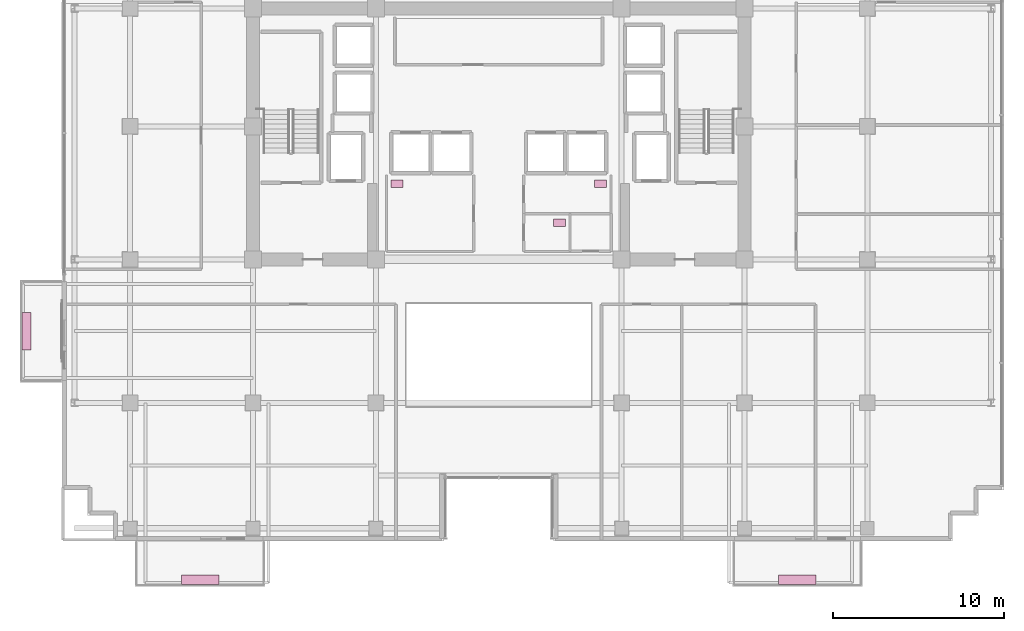
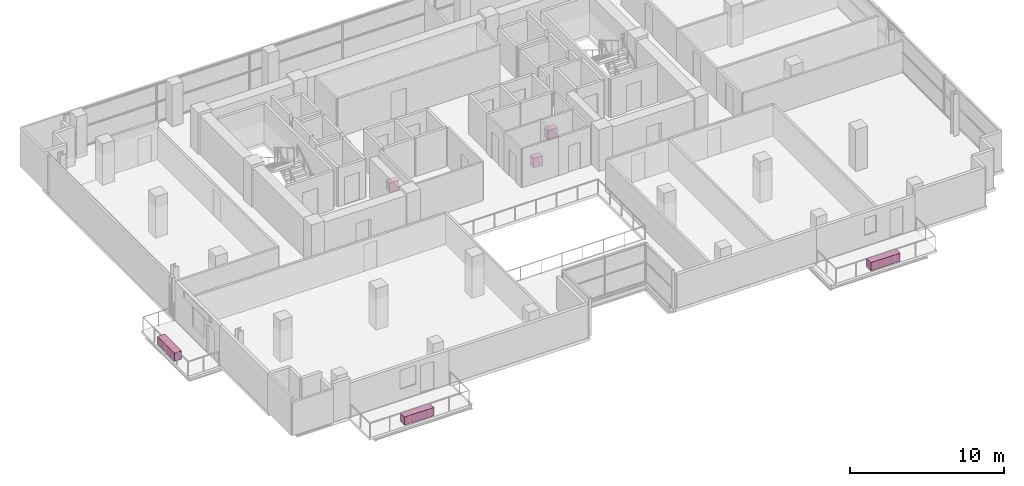
# One storey, part 23 of 23: 6 furnishings.
"""IFC4 building model written with IfcOpenShell, lengths in metres."""

from ifc_helpers import new_model, si_unit, direction, frame, origin, origin_2d, place, context, subcontext, project, spatial, rectangle, extrude, source, transform, mapped, material, type_object, element, save


model = new_model("IFC4")

# Units and contexts
model_context = context("Model", 3, precision=1e-05, world=origin(), true_north=direction((0.0, 1.0)))
body_context = subcontext(model_context, "Body", "Model", "MODEL_VIEW")
ifc_project = project(units=[si_unit("LENGTHUNIT", "METRE"), si_unit("AREAUNIT", "SQUARE_METRE"), si_unit("VOLUMEUNIT", "CUBIC_METRE"), si_unit("PLANEANGLEUNIT", "RADIAN"), si_unit("MASSUNIT", "GRAM", prefix="KILO")], contexts=[model_context])

# Site, building, storey
site_placement = place(None, origin())
site = spatial("IfcSite", under=ifc_project, at=site_placement, CompositionType="ELEMENT")
building_placement = place(site_placement, origin())
building = spatial("IfcBuilding", under=site, at=building_placement, Name="Zarnakvel Exchange Tower", CompositionType="ELEMENT")
storey_placement = place(building_placement, frame((0.0, 0.0, 129.699951171875)))
storey = spatial("IfcBuildingStorey", under=building, at=storey_placement, Name="L36", CompositionType="ELEMENT", Elevation=129.699951171875)

# Furnishings
ifc_material_1 = material(Name="Architectural Bronze Anodised Aluminium", Category="aluminium")
furnishing_element_type_1 = type_object("IfcFurnishingElementType", Name="PLNT-01", material=ifc_material_1)
shared_shape_1 = source(origin(), body_context, "Body", "SweptSolid", [
    extrude(rectangle(XDim=2.199951171875, YDim=0.550048828125, at=origin_2d()), origin(), (0.0, 0.0, 1.0), 0.64990234375),
])
for number, where, z_axis, x_axis, name in (
    (1, (-17.5, -19.969970703125, -0.034912109375), (0.0, 0.0, 1.0), (1.0, 0.0, 0.0), "L36 Balcony Greenery Planter BAL-L36-SW"),
    (2, (17.5, -19.969970703125, -0.034912109375), (0.0, 0.0, 1.0), (1.0, 0.0, 0.0), "L36 Balcony Greenery Planter BAL-L36-SE"),
    (3, (-27.669921875, -5.39990234375, -0.034912109375), (0.0, 0.0, 1.0), (0.0, 1.0, 0.0), "L36 Balcony Greenery Planter BAL-L36-W"),
):
    element("IfcFurnishingElement", number, at=place(storey_placement, frame(where, z_axis=z_axis, x_axis=x_axis)), inside=storey, type_object=furnishing_element_type_1, Name=name, ObjectType="PLANTER", context=body_context, shape_type="MappedRepresentation", body=[
        mapped(shared_shape_1, transform((0.0, 0.0, 0.0), x_axis=(1.0, 0.0, 0.0), y_axis=(0.0, 1.0, 0.0), z_axis=(0.0, 0.0, 1.0), scale=1.0)),
    ])
ifc_material_2 = material(Name="Vitreous China Sanitaryware", Category="ceramic")
furnishing_element_type_2 = type_object("IfcFurnishingElementType", Name="SAN-WC", material=ifc_material_2)
shared_shape_2 = source(origin(), body_context, "Body", "SweptSolid", [
    extrude(rectangle(XDim=0.699951171875, YDim=0.449951171875, at=origin_2d()), origin(), (0.0, 0.0, 1.0), 0.780029296875),
])
for number, where, z_axis, x_axis, name in (
    (4, (-5.949951171875, 3.22998046875, 0.0), (0.0, 0.0, 1.0), (1.0, 0.0, 0.0), "L36 Sanitary Fixture (Male Toilet)"),
    (5, (5.949951171875, 3.22998046875, 0.0), (0.0, 0.0, 1.0), (1.0, 0.0, 0.0), "L36 Sanitary Fixture (Female Toilet)"),
    (6, (3.550048828125, 0.949951171875, 0.0), (0.0, 0.0, 1.0), (1.0, 0.0, 0.0), "L36 Sanitary Fixture (Accessible Toilet)"),
):
    element("IfcFurnishingElement", number, at=place(storey_placement, frame(where, z_axis=z_axis, x_axis=x_axis)), inside=storey, type_object=furnishing_element_type_2, Name=name, ObjectType="SANITARY_FIXTURE", context=body_context, shape_type="MappedRepresentation", body=[
        mapped(shared_shape_2, transform((0.0, 0.0, 0.0), x_axis=(1.0, 0.0, 0.0), y_axis=(0.0, 1.0, 0.0), z_axis=(0.0, 0.0, 1.0), scale=1.0)),
    ])

save(model, "model.ifc")
